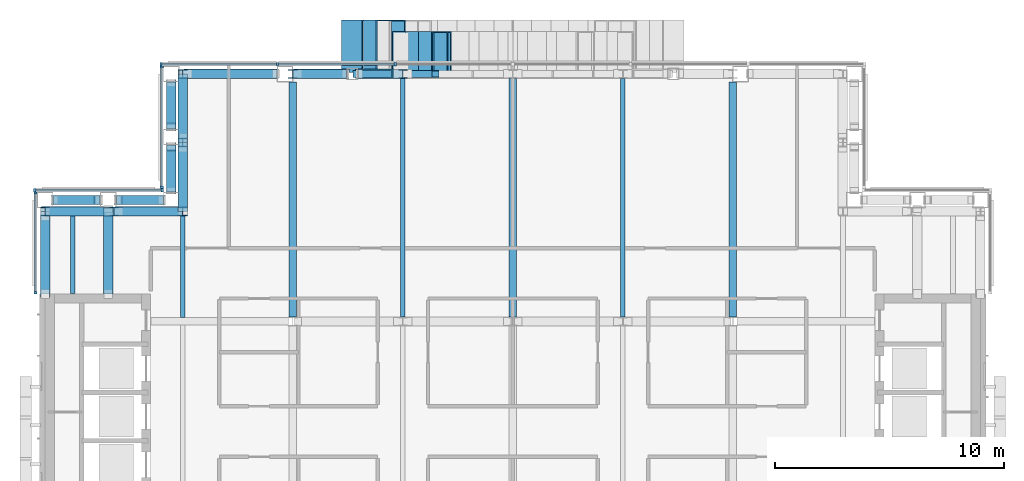
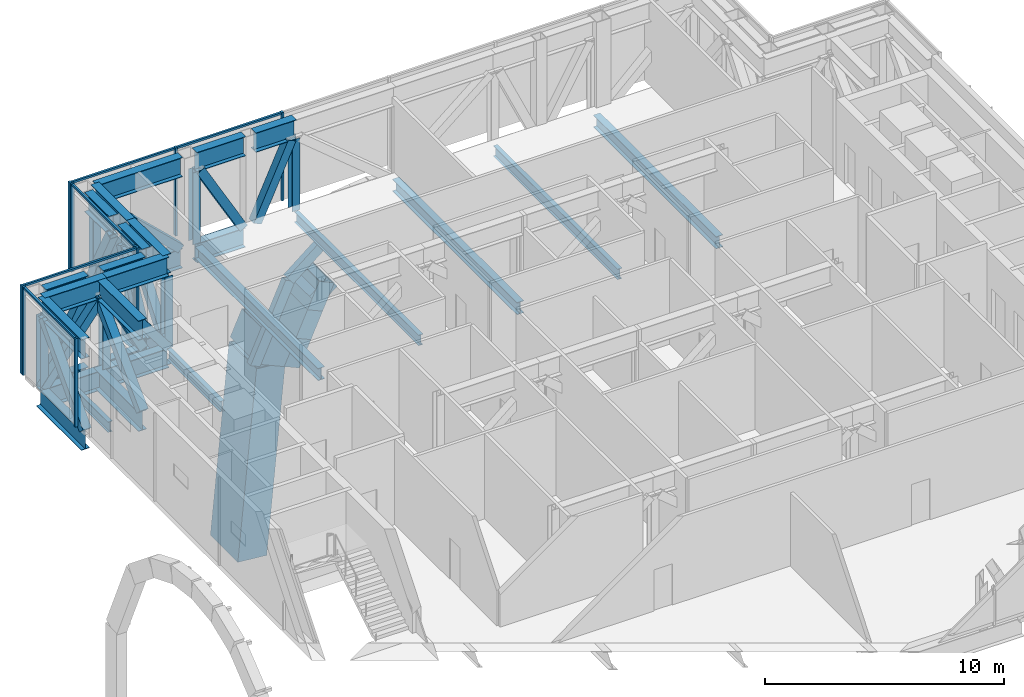
# One storey, part 7 of 26: 63 members, 9 beams, 4 elements without a shape of their own.
"""IFC4 building model written with IfcOpenShell, lengths in metres."""

from ifc_helpers import new_model, si_unit, direction, frame, origin, origin_2d, place, context, subcontext, project, spatial, rectangle, hollow_rectangle, i_section, extrude, material, material_profile, profile_set, type_object, element, aggregate, save


model = new_model("IFC4")

# Units and contexts
model_context = context("Model", 3, precision=1e-05, world=origin(), true_north=direction((0.0, 1.0)))
body_context = subcontext(model_context, "Body", "Model", "MODEL_VIEW")
ifc_project = project(units=[si_unit("LENGTHUNIT", "METRE"), si_unit("AREAUNIT", "SQUARE_METRE"), si_unit("VOLUMEUNIT", "CUBIC_METRE"), si_unit("PLANEANGLEUNIT", "RADIAN"), si_unit("MASSUNIT", "GRAM", prefix="KILO")], contexts=[model_context])

# Site, building, storey
site_placement = place(None, origin())
site = spatial("IfcSite", under=ifc_project, at=site_placement, CompositionType="ELEMENT")
building_placement = place(site_placement, origin())
building = spatial("IfcBuilding", under=site, at=building_placement, Name="Cobrizo Arcos Hotel Tower", CompositionType="ELEMENT")
storey_placement = place(building_placement, frame((0.0, 0.0, 236.5)))
storey = spatial("IfcBuildingStorey", under=building, at=storey_placement, Name="L62", CompositionType="ELEMENT", Elevation=236.5)

# Beams
ifc_material_1 = material(Name="Steel ASTM A572 Grade 50", Category="steel")
ifc_material_profile_1 = material_profile(ifc_material_1, hollow_rectangle(XDim=0.300048828125, YDim=0.5, WallThickness=0.02001953125, at=origin_2d()), Name="BOX 300X500X20")
ifc_profile_set_1 = profile_set([ifc_material_profile_1], Name="Steel ASTM A572 Grade 50")
beam_type_1 = type_object("IfcBeamType", Name="BOX 300X500X20 arch rib", PredefinedType="BEAM", material=ifc_profile_set_1)
beam_1_placement = place(storey_placement, frame((-6.748291015625, 20.39990234375, -7.5615234375), z_axis=(0.409445476845, 0.0, 0.912334588565), x_axis=(0.0, 1.0, 0.0)))
element("IfcBeam", 1, at=beam_1_placement, inside=storey, type_object=beam_type_1, Name="Arch rib AR1, arch C, north face, no. 01", PredefinedType="BEAM", context=body_context, shape_type="SweptSolid", body=[
    extrude(hollow_rectangle(XDim=0.300048828125, YDim=0.5, WallThickness=0.02001953125, at=origin_2d()), origin(), (0.0, 0.0, 1.0), 4.1201171875),
])
beam_2_placement = place(storey_placement, frame((-5.061279296875, 20.39990234375, -3.802490234375), z_axis=(0.777399424026, 0.0, 0.6290072619), x_axis=(0.0, 1.0, 0.0)))
element("IfcBeam", 2, at=beam_2_placement, inside=storey, type_object=beam_type_1, Name="Arch rib AR1, arch C, north face, no. 02", PredefinedType="BEAM", context=body_context, shape_type="SweptSolid", body=[
    extrude(hollow_rectangle(XDim=0.300048828125, YDim=0.5, WallThickness=0.02001953125, at=origin_2d()), origin(), (0.0, 0.0, 1.0), 2.170166015625),
])

# Curtain wall, members
ifc_material_2 = material(Name="Aluminium 6063-T6 anodised bronze", Category="aluminium")
curtain_wall_type = type_object("IfcCurtainWallType", Name="CW-D plant louvre wall", PredefinedType="NOTDEFINED", material=ifc_material_2)
curtain_wall_1_placement = place(storey_placement, origin())
curtain_wall_1 = element("IfcCurtainWall", 3, at=curtain_wall_1_placement, inside=storey, type_object=curtain_wall_type, Name="CW-D L62 N face", PredefinedType="NOTDEFINED")
ifc_material_profile_2 = material_profile(ifc_material_2, rectangle(XDim=0.14990234375, YDim=0.10009765625, at=origin_2d()), Name="CW-D mullion 150x100")
ifc_profile_set_2 = profile_set([ifc_material_profile_2], Name="Aluminium 6063-T6 anodised bronze")
member_type_1 = type_object("IfcMemberType", Name="CW-D mullion 150x100", PredefinedType="MULLION", material=ifc_profile_set_2)
member_1_placement = place(storey_placement, frame((-5.13330078125, 20.824951171875, 0.0), z_axis=(0.0, 0.0, 1.0), x_axis=(0.0, 1.0, 0.0)))
member_1 = element("IfcMember", 4, at=member_1_placement, type_object=member_type_1, Name="CW-D mullion 5", PredefinedType="MULLION", context=body_context, shape_type="SweptSolid", body=[
    extrude(rectangle(XDim=0.14990234375, YDim=0.10009765625, at=origin_2d()), origin(), (0.0, 0.0, 1.0), 4.5),
])
member_2_placement = place(storey_placement, frame((-10.2666015625, 20.824951171875, 0.0), z_axis=(0.0, 0.0, 1.0), x_axis=(0.0, 1.0, 0.0)))
member_2 = element("IfcMember", 5, at=member_2_placement, type_object=member_type_1, Name="CW-D mullion 6", PredefinedType="MULLION", context=body_context, shape_type="SweptSolid", body=[
    extrude(rectangle(XDim=0.14990234375, YDim=0.10009765625, at=origin_2d()), origin(), (0.0, 0.0, 1.0), 4.5),
])
member_3_placement = place(storey_placement, frame((-15.35009765625, 20.824951171875, 0.0), z_axis=(0.0, 0.0, 1.0), x_axis=(0.0, 1.0, 0.0)))
member_3 = element("IfcMember", 6, at=member_3_placement, type_object=member_type_1, Name="CW-D mullion 7", PredefinedType="MULLION", context=body_context, shape_type="SweptSolid", body=[
    extrude(rectangle(XDim=0.14990234375, YDim=0.10009765625, at=origin_2d()), origin(), (0.0, 0.0, 1.0), 4.5),
])

curtain_wall_2_placement = place(storey_placement, origin())
curtain_wall_2 = element("IfcCurtainWall", 7, at=curtain_wall_2_placement, inside=storey, type_object=curtain_wall_type, Name="CW-D L62 W face", PredefinedType="NOTDEFINED")
member_4_placement = place(storey_placement, frame((-15.324951171875, 20.699951171875, 0.0), z_axis=(0.0, 0.0, 1.0), x_axis=(-1.0, 0.0, 0.0)))
member_4 = element("IfcMember", 8, at=member_4_placement, type_object=member_type_1, Name="CW-D mullion 1", PredefinedType="MULLION", context=body_context, shape_type="SweptSolid", body=[
    extrude(rectangle(XDim=0.14990234375, YDim=0.10009765625, at=origin_2d()), origin(), (0.0, 0.0, 1.0), 4.5),
])
member_5_placement = place(storey_placement, frame((-15.324951171875, 15.449951171875, 0.0), z_axis=(0.0, 0.0, 1.0), x_axis=(-1.0, 0.0, 0.0)))
member_5 = element("IfcMember", 9, at=member_5_placement, type_object=member_type_1, Name="CW-D mullion 2", PredefinedType="MULLION", context=body_context, shape_type="SweptSolid", body=[
    extrude(rectangle(XDim=0.14990234375, YDim=0.10009765625, at=origin_2d()), origin(), (0.0, 0.0, 1.0), 4.5),
])

curtain_wall_3_placement = place(storey_placement, origin())
curtain_wall_3 = element("IfcCurtainWall", 10, at=curtain_wall_3_placement, inside=storey, type_object=curtain_wall_type, Name="CW-D L62 N face", PredefinedType="NOTDEFINED")
member_6_placement = place(storey_placement, frame((-15.300048828125, 15.324951171875, 0.0), z_axis=(0.0, 0.0, 1.0), x_axis=(0.0, 1.0, 0.0)))
member_6 = element("IfcMember", 11, at=member_6_placement, type_object=member_type_1, Name="CW-D mullion 1", PredefinedType="MULLION", context=body_context, shape_type="SweptSolid", body=[
    extrude(rectangle(XDim=0.14990234375, YDim=0.10009765625, at=origin_2d()), origin(), (0.0, 0.0, 1.0), 4.5),
])
member_7_placement = place(storey_placement, frame((-20.85009765625, 15.324951171875, 0.0), z_axis=(0.0, 0.0, 1.0), x_axis=(0.0, 1.0, 0.0)))
member_7 = element("IfcMember", 12, at=member_7_placement, type_object=member_type_1, Name="CW-D mullion 2", PredefinedType="MULLION", context=body_context, shape_type="SweptSolid", body=[
    extrude(rectangle(XDim=0.14990234375, YDim=0.10009765625, at=origin_2d()), origin(), (0.0, 0.0, 1.0), 4.5),
])

curtain_wall_4_placement = place(storey_placement, origin())
curtain_wall_4 = element("IfcCurtainWall", 13, at=curtain_wall_4_placement, inside=storey, type_object=curtain_wall_type, Name="CW-D L62 W face", PredefinedType="NOTDEFINED")
member_8_placement = place(storey_placement, frame((-20.824951171875, 15.199951171875, 0.0), z_axis=(0.0, 0.0, 1.0), x_axis=(-1.0, 0.0, 0.0)))
member_8 = element("IfcMember", 14, at=member_8_placement, type_object=member_type_1, Name="CW-D mullion 1", PredefinedType="MULLION", context=body_context, shape_type="SweptSolid", body=[
    extrude(rectangle(XDim=0.14990234375, YDim=0.10009765625, at=origin_2d()), origin(), (0.0, 0.0, 1.0), 4.5),
])
member_9_placement = place(storey_placement, frame((-20.824951171875, 10.85009765625, 0.0), z_axis=(0.0, 0.0, 1.0), x_axis=(-1.0, 0.0, 0.0)))
member_9 = element("IfcMember", 15, at=member_9_placement, type_object=member_type_1, Name="CW-D mullion 2", PredefinedType="MULLION", context=body_context, shape_type="SweptSolid", body=[
    extrude(rectangle(XDim=0.14990234375, YDim=0.10009765625, at=origin_2d()), origin(), (0.0, 0.0, 1.0), 4.5),
])

# Member
ifc_material_profile_3 = material_profile(ifc_material_2, rectangle(XDim=0.10009765625, YDim=0.10009765625, at=origin_2d()), Name="CW-D transom 100x100")
ifc_profile_set_3 = profile_set([ifc_material_profile_3], Name="Aluminium 6063-T6 anodised bronze")
member_type_2 = type_object("IfcMemberType", Name="CW-D transom 100x100", PredefinedType="USERDEFINED", material=ifc_profile_set_3)
member_10_placement = place(storey_placement, frame((-5.183349609375, 20.824951171875, 4.449951171875), z_axis=(-1.0, 0.0, 0.0), x_axis=(0.0, -1.0, 0.0)))
member_10 = element("IfcMember", 16, at=member_10_placement, type_object=member_type_2, Name="CW-D transom 2004", ObjectType="TRANSOM", PredefinedType="USERDEFINED", context=body_context, shape_type="SweptSolid", body=[
    extrude(rectangle(XDim=0.10009765625, YDim=0.10009765625, at=origin_2d()), origin(), (0.0, 0.0, 1.0), 5.033203125),
])

member_11_placement = place(storey_placement, frame((-10.316650390625, 20.824951171875, 4.449951171875), z_axis=(-1.0, 0.0, 0.0), x_axis=(0.0, -1.0, 0.0)))
member_11 = element("IfcMember", 17, at=member_11_placement, type_object=member_type_2, Name="CW-D transom 2005", ObjectType="TRANSOM", PredefinedType="USERDEFINED", context=body_context, shape_type="SweptSolid", body=[
    extrude(rectangle(XDim=0.10009765625, YDim=0.10009765625, at=origin_2d()), origin(), (0.0, 0.0, 1.0), 4.9833984375),
])

aggregate(curtain_wall_1, [member_1, member_2, member_3, member_10, member_11])

member_12_placement = place(storey_placement, frame((-15.324951171875, 20.64990234375, 4.449951171875), z_axis=(0.0, -1.0, 0.0), x_axis=(1.0, 0.0, 0.0)))
member_12 = element("IfcMember", 18, at=member_12_placement, type_object=member_type_2, Name="CW-D transom 2006", ObjectType="TRANSOM", PredefinedType="USERDEFINED", context=body_context, shape_type="SweptSolid", body=[
    extrude(rectangle(XDim=0.10009765625, YDim=0.10009765625, at=origin_2d()), origin(), (0.0, 0.0, 1.0), 5.14990234375),
])

aggregate(curtain_wall_2, [member_4, member_5, member_12])

member_13_placement = place(storey_placement, frame((-15.35009765625, 15.324951171875, 4.449951171875), z_axis=(-1.0, 0.0, 0.0), x_axis=(0.0, -1.0, 0.0)))
member_13 = element("IfcMember", 19, at=member_13_placement, type_object=member_type_2, Name="CW-D transom 2007", ObjectType="TRANSOM", PredefinedType="USERDEFINED", context=body_context, shape_type="SweptSolid", body=[
    extrude(rectangle(XDim=0.10009765625, YDim=0.10009765625, at=origin_2d()), origin(), (0.0, 0.0, 1.0), 5.449951171875),
])

aggregate(curtain_wall_3, [member_6, member_7, member_13])

member_14_placement = place(storey_placement, frame((-20.824951171875, 15.14990234375, 4.449951171875), z_axis=(0.0, -1.0, 0.0), x_axis=(1.0, 0.0, 0.0)))
member_14 = element("IfcMember", 20, at=member_14_placement, type_object=member_type_2, Name="CW-D transom 2008", ObjectType="TRANSOM", PredefinedType="USERDEFINED", context=body_context, shape_type="SweptSolid", body=[
    extrude(rectangle(XDim=0.10009765625, YDim=0.10009765625, at=origin_2d()), origin(), (0.0, 0.0, 1.0), 4.25),
])

aggregate(curtain_wall_4, [member_8, member_9, member_14])

# Members
ifc_material_3 = material(Name="Steel ASTM A500 Grade C", Category="steel")
ifc_material_profile_4 = material_profile(ifc_material_3, hollow_rectangle(XDim=0.406494140625, YDim=0.406494140625, WallThickness=0.014892578125, at=origin_2d()), Name="HSS16X16X5/8")
ifc_profile_set_4 = profile_set([ifc_material_profile_4], Name="Steel ASTM A500 Grade C")
member_type_3 = type_object("IfcMemberType", Name="HSS16X16X5/8 truss diagonal", PredefinedType="BRACE", material=ifc_profile_set_4)
member_15_placement = place(storey_placement, frame((-5.0, 20.39990234375, 3.359375), z_axis=(-0.415151491218, 0.0, -0.909752295595), x_axis=(0.0, -1.0, 0.0)))
element("IfcMember", 21, at=member_15_placement, inside=storey, type_object=member_type_3, Name="Belt truss diagonal TD1, L62, no. 024", PredefinedType="BRACE", context=body_context, shape_type="SweptSolid", body=[
    extrude(hollow_rectangle(XDim=0.406494140625, YDim=0.406494140625, WallThickness=0.014892578125, at=origin_2d()), origin(), (0.0, 0.0, 1.0), 4.0224609375),
])
member_16_placement = place(storey_placement, frame((-7.330078125, 20.39990234375, -0.300048828125), z_axis=(-0.492319382331, 0.0, 0.870414628658), x_axis=(0.0, -1.0, 0.0)))
element("IfcMember", 22, at=member_16_placement, inside=storey, type_object=member_type_3, Name="Belt truss diagonal TD1, L62, no. 025", PredefinedType="BRACE", context=body_context, shape_type="SweptSolid", body=[
    extrude(hollow_rectangle(XDim=0.406494140625, YDim=0.406494140625, WallThickness=0.014892578125, at=origin_2d()), origin(), (0.0, 0.0, 1.0), 4.204345703125),
])
member_17_placement = place(storey_placement, frame((-10.363037109375, 20.39990234375, -0.300048828125), z_axis=(-0.723646087401, 0.0, 0.690171239759), x_axis=(0.0, -1.0, 0.0)))
element("IfcMember", 23, at=member_17_placement, inside=storey, type_object=member_type_3, Name="Belt truss diagonal TD1, L62, no. 026", PredefinedType="BRACE", context=body_context, shape_type="SweptSolid", body=[
    extrude(hollow_rectangle(XDim=0.406494140625, YDim=0.406494140625, WallThickness=0.014892578125, at=origin_2d()), origin(), (0.0, 0.0, 1.0), 5.30224609375),
])
for number, where, z_axis, x_axis, name in (
    (24, (-14.89990234375, 19.969970703125, -0.300048828125), (0.0, -0.458864866216, 0.888506068945), (1.0, 0.0, 0.0), "Belt truss diagonal TD1, L62, no. 027"),
    (25, (-14.89990234375, 17.219970703125, 3.359375), (0.0, -0.458864866216, -0.888506068945), (1.0, 0.0, 0.0), "Belt truss diagonal TD1, L62, no. 028"),
    (26, (-15.330078125, 14.89990234375, -0.300048828125), (-0.458864866216, 0.0, 0.888506068945), (0.0, -1.0, 0.0), "Belt truss diagonal TD1, L62, no. 029"),
    (27, (-18.080078125, 14.89990234375, 3.359375), (-0.458864866216, 0.0, -0.888506068945), (0.0, -1.0, 0.0), "Belt truss diagonal TD1, L62, no. 030"),
):
    element("IfcMember", number, at=place(storey_placement, frame(where, z_axis=z_axis, x_axis=x_axis)), inside=storey, type_object=member_type_3, Name=name, PredefinedType="BRACE", context=body_context, shape_type="SweptSolid", body=[
        extrude(hollow_rectangle(XDim=0.406494140625, YDim=0.406494140625, WallThickness=0.014892578125, at=origin_2d()), origin(), (0.0, 0.0, 1.0), 4.11865234375),
    ])
member_18_placement = place(storey_placement, frame((-20.39990234375, 14.199951171875, 3.359375), z_axis=(0.0, -0.680546716419, -0.732704692746), x_axis=(1.0, 0.0, 0.0)))
element("IfcMember", 28, at=member_18_placement, inside=storey, type_object=member_type_3, Name="Belt truss diagonal TD1, L62, no. 031", PredefinedType="BRACE", context=body_context, shape_type="SweptSolid", body=[
    extrude(hollow_rectangle(XDim=0.406494140625, YDim=0.406494140625, WallThickness=0.014892578125, at=origin_2d()), origin(), (0.0, 0.0, 1.0), 4.994384765625),
])
for number, where, z_axis, x_axis, name in (
    (29, (-14.39990234375, 20.39990234375, -0.300048828125), (0.0, -0.607644795951, 0.794208915811), (1.0, 0.0, 0.0), "Belt truss diagonal TD1, L62, no. 045"),
    (30, (-14.39990234375, 17.199951171875, 3.359375), (0.0, -0.607678216274, -0.794183344994), (1.0, 0.0, 0.0), "Belt truss diagonal TD1, L62, no. 046"),
    (31, (-14.39990234375, 14.39990234375, -0.300048828125), (-0.607678216274, 0.0, 0.794183344994), (0.0, -1.0, 0.0), "Belt truss diagonal TD1, L62, no. 047"),
    (32, (-17.60009765625, 14.39990234375, 3.359375), (-0.607644795951, 0.0, -0.794208915811), (0.0, -1.0, 0.0), "Belt truss diagonal TD1, L62, no. 048"),
):
    element("IfcMember", number, at=place(storey_placement, frame(where, z_axis=z_axis, x_axis=x_axis)), inside=storey, type_object=member_type_3, Name=name, PredefinedType="BRACE", context=body_context, shape_type="SweptSolid", body=[
        extrude(hollow_rectangle(XDim=0.406494140625, YDim=0.406494140625, WallThickness=0.014892578125, at=origin_2d()), origin(), (0.0, 0.0, 1.0), 4.607666015625),
    ])
member_19_placement = place(storey_placement, frame((-17.64990234375, 10.800048828125, -0.300048828125), z_axis=(0.0, 0.708118865561, 0.706093246134), x_axis=(-1.0, 0.0, 0.0)))
element("IfcMember", 33, at=member_19_placement, inside=storey, type_object=member_type_3, Name="Outrigger diagonal TD1, L62, no. 004", PredefinedType="BRACE", context=body_context, shape_type="SweptSolid", body=[
    extrude(hollow_rectangle(XDim=0.406494140625, YDim=0.406494140625, WallThickness=0.014892578125, at=origin_2d()), origin(), (0.0, 0.0, 1.0), 5.1826171875),
])
ifc_material_4 = material(Name="Steel ASTM A572 Grade 50 verdigris painted", Category="steel")
ifc_material_profile_5 = material_profile(ifc_material_4, hollow_rectangle(XDim=2.300048828125, YDim=1.39990234375, WallThickness=0.050048828125, at=origin_2d()), Name="PF-1 portal frame box 2300x1400x50")
ifc_profile_set_5 = profile_set([ifc_material_profile_5], Name="Steel ASTM A572 Grade 50 verdigris painted")
member_type_4 = type_object("IfcMemberType", Name="PF-1 portal frame box 2300x1400x50", PredefinedType="USERDEFINED", material=ifc_profile_set_5)
member_20_placement = place(storey_placement, frame((-5.881591796875, 21.60009765625, -7.95068359375), z_axis=(0.40935189332, 0.0, 0.912376582029), x_axis=(0.0, 1.0, 0.0)))
element("IfcMember", 34, at=member_20_placement, inside=storey, type_object=member_type_4, Name="C ring frame lintel N1", ObjectType="PORTAL FRAME", PredefinedType="USERDEFINED", context=body_context, shape_type="SweptSolid", body=[
    extrude(hollow_rectangle(XDim=2.300048828125, YDim=1.39990234375, WallThickness=0.050048828125, at=origin_2d()), origin(), (0.0, 0.0, 1.0), 1.37353515625),
])
member_21_placement = place(storey_placement, frame((-6.78173828125, 21.60009765625, -17.5), z_axis=(0.093846907553, 0.0, 0.995586640099), x_axis=(0.0, 1.0, 0.0)))
element("IfcMember", 35, at=member_21_placement, inside=storey, type_object=member_type_4, Name="C ring frame post NW", ObjectType="PORTAL FRAME", PredefinedType="USERDEFINED", context=body_context, shape_type="SweptSolid", body=[
    extrude(hollow_rectangle(XDim=2.300048828125, YDim=1.39990234375, WallThickness=0.050048828125, at=origin_2d()), origin(), (0.0, 0.0, 1.0), 9.591552734375),
])
ifc_material_profile_6 = material_profile(ifc_material_4, hollow_rectangle(XDim=1.800048828125, YDim=0.800048828125, WallThickness=0.050048828125, at=origin_2d()), Name="PF-3 portal outer ring box 1800x800x50")
ifc_profile_set_6 = profile_set([ifc_material_profile_6], Name="Steel ASTM A572 Grade 50 verdigris painted")
member_type_5 = type_object("IfcMemberType", Name="PF-3 portal outer ring box 1800x800x50", PredefinedType="USERDEFINED", material=ifc_profile_set_6)
for number, where, z_axis, x_axis, name in (
    (36, (-4.878173828125, 21.35009765625, -8.40087890625), (0.409418288591, 0.0, 0.91234678986), (0.0, 1.0, 0.0), "C ring frame lintel N21"),
    (37, (-4.31591796875, 21.35009765625, -7.14794921875), (0.409566249087, 0.0, 0.91228037774), (0.0, 1.0, 0.0), "C ring frame lintel N22"),
    (38, (-3.75341796875, 21.35009765625, -5.89501953125), (0.409566249087, 0.0, 0.91228037774), (0.0, 1.0, 0.0), "C ring frame lintel N23"),
):
    element("IfcMember", number, at=place(storey_placement, frame(where, z_axis=z_axis, x_axis=x_axis)), inside=storey, type_object=member_type_5, Name=name, ObjectType="PORTAL FRAME", PredefinedType="USERDEFINED", context=body_context, shape_type="SweptSolid", body=[
        extrude(hollow_rectangle(XDim=1.800048828125, YDim=0.800048828125, WallThickness=0.050048828125, at=origin_2d()), origin(), (0.0, 0.0, 1.0), 1.373291015625),
    ])
member_22_placement = place(storey_placement, frame((-3.771728515625, 21.35009765625, -5.396240234375), z_axis=(0.777344411856, 0.0, 0.62907524618), x_axis=(0.0, 1.0, 0.0)))
element("IfcMember", 39, at=member_22_placement, inside=storey, type_object=member_type_5, Name="C ring frame lintel N24", ObjectType="PORTAL FRAME", PredefinedType="USERDEFINED", context=body_context, shape_type="SweptSolid", body=[
    extrude(hollow_rectangle(XDim=1.800048828125, YDim=0.800048828125, WallThickness=0.050048828125, at=origin_2d()), origin(), (0.0, 0.0, 1.0), 1.085205078125),
])
ifc_material_5 = material(Name="Steel ASTM A992 Grade 50", Category="steel")
ifc_material_profile_7 = material_profile(ifc_material_5, i_section(OverallWidth=0.373291015625, OverallDepth=0.373291015625, WebThickness=0.016357421875, FlangeThickness=0.026123046875, at=origin_2d()), Name="W14X132")
ifc_profile_set_7 = profile_set([ifc_material_profile_7], Name="Steel ASTM A992 Grade 50")
member_type_6 = type_object("IfcMemberType", Name="W14X132 truss post", PredefinedType="POST", material=ifc_profile_set_7)
for number, where, z_axis, x_axis, name in (
    (40, (-4.800048828125, 20.39990234375, -0.300048828125), (0.0, 0.0, 1.0), (1.0, 0.0, 0.0), "Truss post TP1, L62, no. 014"),
    (41, (-9.60009765625, 20.39990234375, -0.300048828125), (0.0, 0.0, 1.0), (1.0, 0.0, 0.0), "Truss post TP1, L62, no. 015"),
    (42, (-14.39990234375, 20.39990234375, -0.300048828125), (0.0, 0.0, 1.0), (1.0, 0.0, 0.0), "Truss post TP1, L62, no. 016"),
    (43, (-20.39990234375, 14.39990234375, -0.300048828125), (0.0, 0.0, 1.0), (1.0, 0.0, 0.0), "Truss post TP1, L62, no. 017"),
    (44, (-14.39990234375, 17.39990234375, -0.300048828125), (0.0, 0.0, 1.0), (1.0, 0.0, 0.0), "Truss post TP1, L62, no. 025"),
    (45, (-14.39990234375, 14.39990234375, -0.300048828125), (0.0, 0.0, 1.0), (1.0, 0.0, 0.0), "Truss post TP1, L62, no. 026"),
    (46, (-17.39990234375, 14.39990234375, -0.300048828125), (0.0, 0.0, 1.0), (1.0, 0.0, 0.0), "Truss post TP1, L62, no. 027"),
):
    element("IfcMember", number, at=place(storey_placement, frame(where, z_axis=z_axis, x_axis=x_axis)), inside=storey, type_object=member_type_6, Name=name, PredefinedType="POST", context=body_context, shape_type="SweptSolid", body=[
        extrude(i_section(OverallWidth=0.373291015625, OverallDepth=0.373291015625, WebThickness=0.016357421875, FlangeThickness=0.026123046875, at=origin_2d()), origin(), (0.0, 0.0, 1.0), 3.659423828125),
    ])

# Beams
ifc_material_profile_8 = material_profile(ifc_material_5, i_section(OverallWidth=0.209228515625, OverallDepth=0.533447265625, WebThickness=0.01025390625, FlangeThickness=0.015625, at=origin_2d()), Name="W21X62")
ifc_profile_set_8 = profile_set([ifc_material_profile_8], Name="Steel ASTM A992 Grade 50")
beam_type_2 = type_object("IfcBeamType", Name="W21X62 joist", PredefinedType="JOIST", material=ifc_profile_set_8)
beam_3_placement = place(storey_placement, frame((-19.199951171875, 10.81005859375, -0.566650390625), z_axis=(0.0, 1.0, 0.0), x_axis=(-1.0, 0.0, 0.0)))
element("IfcBeam", 47, at=beam_3_placement, inside=storey, type_object=beam_type_2, Name="Floor joist J1, L62, no. 002", PredefinedType="JOIST", context=body_context, shape_type="SweptSolid", body=[
    extrude(i_section(OverallWidth=0.209228515625, OverallDepth=0.533447265625, WebThickness=0.01025390625, FlangeThickness=0.015625, at=origin_2d()), origin(), (0.0, 0.0, 1.0), 3.389404296875),
])
beam_4_placement = place(storey_placement, frame((-14.39990234375, 9.763916015625, -0.566650390625), z_axis=(0.0, 1.0, 0.0), x_axis=(-1.0, 0.0, 0.0)))
element("IfcBeam", 48, at=beam_4_placement, inside=storey, type_object=beam_type_2, Name="Floor joist J1, L62, no. 006", PredefinedType="JOIST", context=body_context, shape_type="SweptSolid", body=[
    extrude(i_section(OverallWidth=0.209228515625, OverallDepth=0.533447265625, WebThickness=0.01025390625, FlangeThickness=0.015625, at=origin_2d()), origin(), (0.0, 0.0, 1.0), 4.435546875),
])
for number, where, z_axis, x_axis, name in (
    (49, (-4.800048828125, 9.800537109375, -0.566650390625), (0.0, 1.0, 0.0), (-1.0, 0.0, 0.0), "Floor joist J1, L62, no. 010"),
    (50, (4.800048828125, 9.800537109375, -0.566650390625), (0.0, 1.0, 0.0), (-1.0, 0.0, 0.0), "Floor joist J1, L62, no. 014"),
):
    element("IfcBeam", number, at=place(storey_placement, frame(where, z_axis=z_axis, x_axis=x_axis)), inside=storey, type_object=beam_type_2, Name=name, PredefinedType="JOIST", context=body_context, shape_type="SweptSolid", body=[
        extrude(i_section(OverallWidth=0.209228515625, OverallDepth=0.533447265625, WebThickness=0.01025390625, FlangeThickness=0.015625, at=origin_2d()), origin(), (0.0, 0.0, 1.0), 10.39892578125),
    ])
ifc_material_profile_9 = material_profile(ifc_material_5, i_section(OverallWidth=0.32763671875, OverallDepth=0.622314453125, WebThickness=0.015380859375, FlangeThickness=0.0244140625, at=origin_2d()), Name="W24X131")
ifc_profile_set_9 = profile_set([ifc_material_profile_9], Name="Steel ASTM A992 Grade 50")
beam_type_3 = type_object("IfcBeamType", Name="W24X131 girder", PredefinedType="BEAM", material=ifc_profile_set_9)
beam_5_placement = place(storey_placement, frame((-9.60009765625, 9.800537109375, -0.611083984375), z_axis=(0.0, 1.0, 0.0), x_axis=(-1.0, 0.0, 0.0)))
element("IfcBeam", 51, at=beam_5_placement, inside=storey, type_object=beam_type_3, Name="Floor girder G1, L62, no. 010", PredefinedType="BEAM", context=body_context, shape_type="SweptSolid", body=[
    extrude(i_section(OverallWidth=0.32763671875, OverallDepth=0.622314453125, WebThickness=0.015380859375, FlangeThickness=0.0244140625, at=origin_2d()), origin(), (0.0, 0.0, 1.0), 10.24951171875),
])
beam_6_placement = place(storey_placement, frame((0.0, 9.800537109375, -0.611083984375), z_axis=(0.0, 1.0, 0.0), x_axis=(-1.0, 0.0, 0.0)))
element("IfcBeam", 52, at=beam_6_placement, inside=storey, type_object=beam_type_3, Name="Floor girder G1, L62, no. 014", PredefinedType="BEAM", context=body_context, shape_type="SweptSolid", body=[
    extrude(i_section(OverallWidth=0.32763671875, OverallDepth=0.622314453125, WebThickness=0.015380859375, FlangeThickness=0.0244140625, at=origin_2d()), origin(), (0.0, 0.0, 1.0), 10.39892578125),
])
beam_7_placement = place(storey_placement, frame((9.60009765625, 9.800537109375, -0.611083984375), z_axis=(0.0, 1.0, 0.0), x_axis=(-1.0, 0.0, 0.0)))
element("IfcBeam", 53, at=beam_7_placement, inside=storey, type_object=beam_type_3, Name="Floor girder G1, L62, no. 018", PredefinedType="BEAM", context=body_context, shape_type="SweptSolid", body=[
    extrude(i_section(OverallWidth=0.32763671875, OverallDepth=0.622314453125, WebThickness=0.015380859375, FlangeThickness=0.0244140625, at=origin_2d()), origin(), (0.0, 0.0, 1.0), 10.24951171875),
])

# Members
ifc_material_profile_10 = material_profile(ifc_material_5, i_section(OverallWidth=0.4013671875, OverallDepth=0.990478515625, WebThickness=0.0166015625, FlangeThickness=0.025390625, at=origin_2d()), Name="W40X215")
ifc_profile_set_10 = profile_set([ifc_material_profile_10], Name="Steel ASTM A992 Grade 50")
member_type_7 = type_object("IfcMemberType", Name="W40X215 belt truss chord", PredefinedType="CHORD", material=ifc_profile_set_10)
member_23_placement = place(storey_placement, frame((-7.25, 20.39990234375, -0.79541015625), z_axis=(-1.0, 0.0, 0.0), x_axis=(0.0, -1.0, 0.0)))
element("IfcMember", 54, at=member_23_placement, inside=storey, type_object=member_type_7, Name="Belt truss bottom chord TC1, L62, no. 019", PredefinedType="CHORD", context=body_context, shape_type="SweptSolid", body=[
    extrude(i_section(OverallWidth=0.4013671875, OverallDepth=0.990478515625, WebThickness=0.0166015625, FlangeThickness=0.025390625, at=origin_2d()), origin(), (0.0, 0.0, 1.0), 2.3330078125),
])
member_24_placement = place(storey_placement, frame((-10.282958984375, 20.39990234375, -0.79541015625), z_axis=(-1.0, 0.0, 0.0), x_axis=(0.0, -1.0, 0.0)))
element("IfcMember", 55, at=member_24_placement, inside=storey, type_object=member_type_7, Name="Belt truss bottom chord TC1, L62, no. 020", PredefinedType="CHORD", context=body_context, shape_type="SweptSolid", body=[
    extrude(i_section(OverallWidth=0.4013671875, OverallDepth=0.990478515625, WebThickness=0.0166015625, FlangeThickness=0.025390625, at=origin_2d()), origin(), (0.0, 0.0, 1.0), 4.26708984375),
])
member_25_placement = place(storey_placement, frame((-4.800048828125, 20.39990234375, 3.854736328125), z_axis=(-1.0, 0.0, 0.0), x_axis=(0.0, -1.0, 0.0)))
element("IfcMember", 56, at=member_25_placement, inside=storey, type_object=member_type_7, Name="Belt truss top chord TC1, L62, no. 024", PredefinedType="CHORD", context=body_context, shape_type="SweptSolid", body=[
    extrude(i_section(OverallWidth=0.4013671875, OverallDepth=0.990478515625, WebThickness=0.0166015625, FlangeThickness=0.025390625, at=origin_2d()), origin(), (0.0, 0.0, 1.0), 1.949951171875),
])
member_26_placement = place(storey_placement, frame((-7.25, 20.39990234375, 3.854736328125), z_axis=(-1.0, 0.0, 0.0), x_axis=(0.0, -1.0, 0.0)))
element("IfcMember", 57, at=member_26_placement, inside=storey, type_object=member_type_7, Name="Belt truss top chord TC1, L62, no. 025", PredefinedType="CHORD", context=body_context, shape_type="SweptSolid", body=[
    extrude(i_section(OverallWidth=0.4013671875, OverallDepth=0.990478515625, WebThickness=0.0166015625, FlangeThickness=0.025390625, at=origin_2d()), origin(), (0.0, 0.0, 1.0), 2.35009765625),
])
member_27_placement = place(storey_placement, frame((-10.282958984375, 20.39990234375, 3.854736328125), z_axis=(-1.0, 0.0, 0.0), x_axis=(0.0, -1.0, 0.0)))
element("IfcMember", 58, at=member_27_placement, inside=storey, type_object=member_type_7, Name="Belt truss top chord TC1, L62, no. 026", PredefinedType="CHORD", context=body_context, shape_type="SweptSolid", body=[
    extrude(i_section(OverallWidth=0.4013671875, OverallDepth=0.990478515625, WebThickness=0.0166015625, FlangeThickness=0.025390625, at=origin_2d()), origin(), (0.0, 0.0, 1.0), 4.116943359375),
])
for number, where, z_axis, x_axis, name in (
    (59, (-14.89990234375, 20.050048828125, -0.79541015625), (0.0, -1.0, 0.0), (1.0, 0.0, 0.0), "Belt truss bottom chord TC1, L62, no. 021"),
    (60, (-14.89990234375, 17.300048828125, -0.79541015625), (0.0, -1.0, 0.0), (1.0, 0.0, 0.0), "Belt truss bottom chord TC1, L62, no. 022"),
    (61, (-14.89990234375, 20.050048828125, 3.854736328125), (0.0, -1.0, 0.0), (1.0, 0.0, 0.0), "Belt truss top chord TC1, L62, no. 027"),
    (62, (-14.89990234375, 17.300048828125, 3.854736328125), (0.0, -1.0, 0.0), (1.0, 0.0, 0.0), "Belt truss top chord TC1, L62, no. 028"),
    (63, (-15.25, 14.89990234375, -0.79541015625), (-1.0, 0.0, 0.0), (0.0, -1.0, 0.0), "Belt truss bottom chord TC1, L62, no. 023"),
    (64, (-18.0, 14.89990234375, -0.79541015625), (-1.0, 0.0, 0.0), (0.0, -1.0, 0.0), "Belt truss bottom chord TC1, L62, no. 024"),
    (65, (-15.25, 14.89990234375, 3.854736328125), (-1.0, 0.0, 0.0), (0.0, -1.0, 0.0), "Belt truss top chord TC1, L62, no. 029"),
    (66, (-18.0, 14.89990234375, 3.854736328125), (-1.0, 0.0, 0.0), (0.0, -1.0, 0.0), "Belt truss top chord TC1, L62, no. 030"),
):
    element("IfcMember", number, at=place(storey_placement, frame(where, z_axis=z_axis, x_axis=x_axis)), inside=storey, type_object=member_type_7, Name=name, PredefinedType="CHORD", context=body_context, shape_type="SweptSolid", body=[
        extrude(i_section(OverallWidth=0.4013671875, OverallDepth=0.990478515625, WebThickness=0.0166015625, FlangeThickness=0.025390625, at=origin_2d()), origin(), (0.0, 0.0, 1.0), 2.050048828125),
    ])
member_28_placement = place(storey_placement, frame((-20.39990234375, 14.550048828125, -0.79541015625), z_axis=(0.0, -1.0, 0.0), x_axis=(1.0, 0.0, 0.0)))
element("IfcMember", 67, at=member_28_placement, inside=storey, type_object=member_type_7, Name="Belt truss bottom chord TC1, L62, no. 025", PredefinedType="CHORD", context=body_context, shape_type="SweptSolid", body=[
    extrude(i_section(OverallWidth=0.4013671875, OverallDepth=0.990478515625, WebThickness=0.0166015625, FlangeThickness=0.025390625, at=origin_2d()), origin(), (0.0, 0.0, 1.0), 3.7490234375),
])
member_29_placement = place(storey_placement, frame((-20.39990234375, 14.39990234375, 3.854736328125), z_axis=(0.0, -1.0, 0.0), x_axis=(1.0, 0.0, 0.0)))
element("IfcMember", 68, at=member_29_placement, inside=storey, type_object=member_type_7, Name="Belt truss top chord TC1, L62, no. 031", PredefinedType="CHORD", context=body_context, shape_type="SweptSolid", body=[
    extrude(i_section(OverallWidth=0.4013671875, OverallDepth=0.990478515625, WebThickness=0.0166015625, FlangeThickness=0.025390625, at=origin_2d()), origin(), (0.0, 0.0, 1.0), 3.598876953125),
])
member_30_placement = place(storey_placement, frame((-14.39990234375, 20.39990234375, -0.79541015625), z_axis=(0.0, -1.0, 0.0), x_axis=(1.0, 0.0, 0.0)))
element("IfcMember", 69, at=member_30_placement, inside=storey, type_object=member_type_7, Name="Belt truss bottom chord TC1, L62, no. 035", PredefinedType="CHORD", context=body_context, shape_type="SweptSolid", body=[
    extrude(i_section(OverallWidth=0.4013671875, OverallDepth=0.990478515625, WebThickness=0.0166015625, FlangeThickness=0.025390625, at=origin_2d()), origin(), (0.0, 0.0, 1.0), 6.0),
])
for number, where, z_axis, x_axis, name in (
    (70, (-14.39990234375, 20.39990234375, 3.854736328125), (0.0, -1.0, 0.0), (1.0, 0.0, 0.0), "Belt truss top chord TC1, L62, no. 045"),
    (71, (-14.39990234375, 17.39990234375, 3.854736328125), (0.0, -1.0, 0.0), (1.0, 0.0, 0.0), "Belt truss top chord TC1, L62, no. 046"),
):
    element("IfcMember", number, at=place(storey_placement, frame(where, z_axis=z_axis, x_axis=x_axis)), inside=storey, type_object=member_type_7, Name=name, PredefinedType="CHORD", context=body_context, shape_type="SweptSolid", body=[
        extrude(i_section(OverallWidth=0.4013671875, OverallDepth=0.990478515625, WebThickness=0.0166015625, FlangeThickness=0.025390625, at=origin_2d()), origin(), (0.0, 0.0, 1.0), 3.0),
    ])
member_31_placement = place(storey_placement, frame((-14.39990234375, 14.39990234375, -0.79541015625), z_axis=(-1.0, 0.0, 0.0), x_axis=(0.0, -1.0, 0.0)))
element("IfcMember", 72, at=member_31_placement, inside=storey, type_object=member_type_7, Name="Belt truss bottom chord TC1, L62, no. 036", PredefinedType="CHORD", context=body_context, shape_type="SweptSolid", body=[
    extrude(i_section(OverallWidth=0.4013671875, OverallDepth=0.990478515625, WebThickness=0.0166015625, FlangeThickness=0.025390625, at=origin_2d()), origin(), (0.0, 0.0, 1.0), 6.0),
])
for number, where, z_axis, x_axis, name in (
    (73, (-14.39990234375, 14.39990234375, 3.854736328125), (-1.0, 0.0, 0.0), (0.0, -1.0, 0.0), "Belt truss top chord TC1, L62, no. 047"),
    (74, (-17.39990234375, 14.39990234375, 3.854736328125), (-1.0, 0.0, 0.0), (0.0, -1.0, 0.0), "Belt truss top chord TC1, L62, no. 048"),
):
    element("IfcMember", number, at=place(storey_placement, frame(where, z_axis=z_axis, x_axis=x_axis)), inside=storey, type_object=member_type_7, Name=name, PredefinedType="CHORD", context=body_context, shape_type="SweptSolid", body=[
        extrude(i_section(OverallWidth=0.4013671875, OverallDepth=0.990478515625, WebThickness=0.0166015625, FlangeThickness=0.025390625, at=origin_2d()), origin(), (0.0, 0.0, 1.0), 3.0),
    ])
for number, where, z_axis, x_axis, name in (
    (75, (-17.64990234375, 10.800048828125, -0.79541015625), (0.0, 1.0, 0.0), (-1.0, 0.0, 0.0), "Outrigger bottom chord TC1, L62, no. 004"),
    (76, (-17.64990234375, 10.800048828125, 3.854736328125), (0.0, 1.0, 0.0), (-1.0, 0.0, 0.0), "Outrigger top chord TC1, L62, no. 004"),
):
    element("IfcMember", number, at=place(storey_placement, frame(where, z_axis=z_axis, x_axis=x_axis)), inside=storey, type_object=member_type_7, Name=name, PredefinedType="CHORD", context=body_context, shape_type="SweptSolid", body=[
        extrude(i_section(OverallWidth=0.4013671875, OverallDepth=0.990478515625, WebThickness=0.0166015625, FlangeThickness=0.025390625, at=origin_2d()), origin(), (0.0, 0.0, 1.0), 3.75),
    ])

save(model, "model.ifc")
